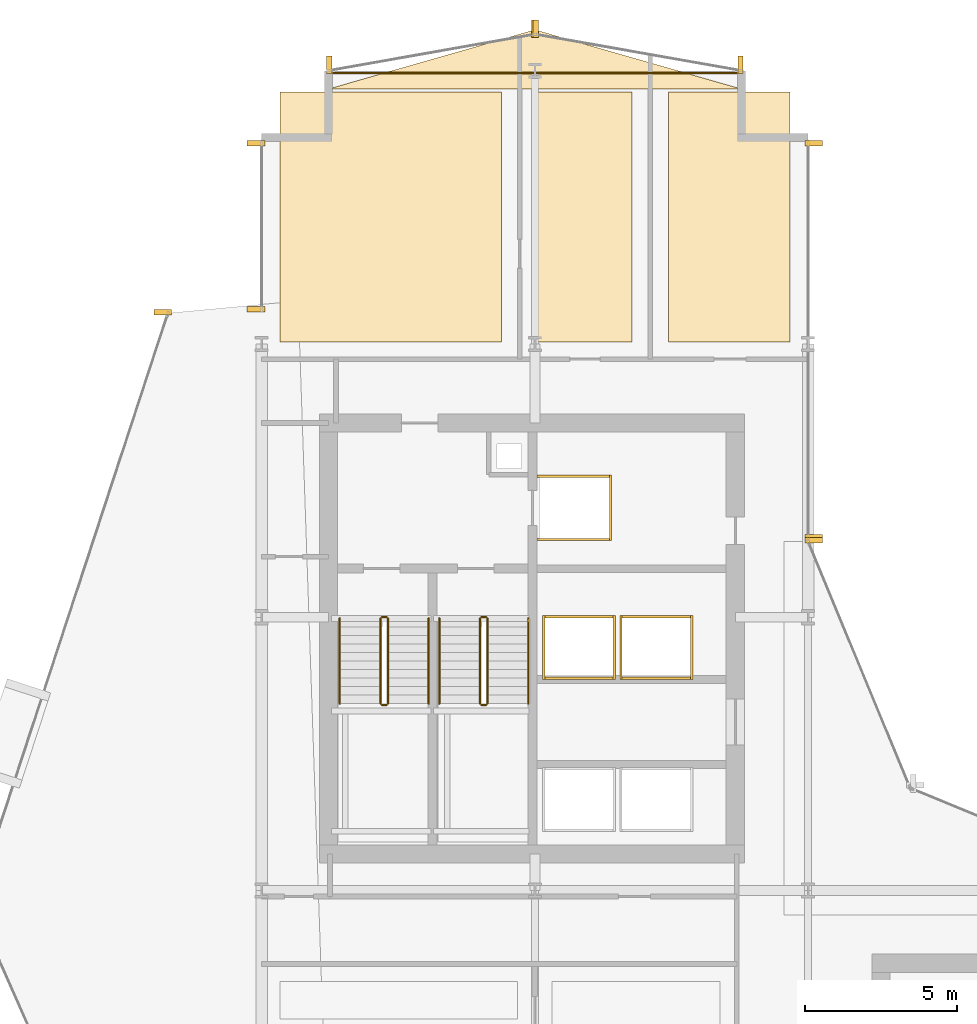
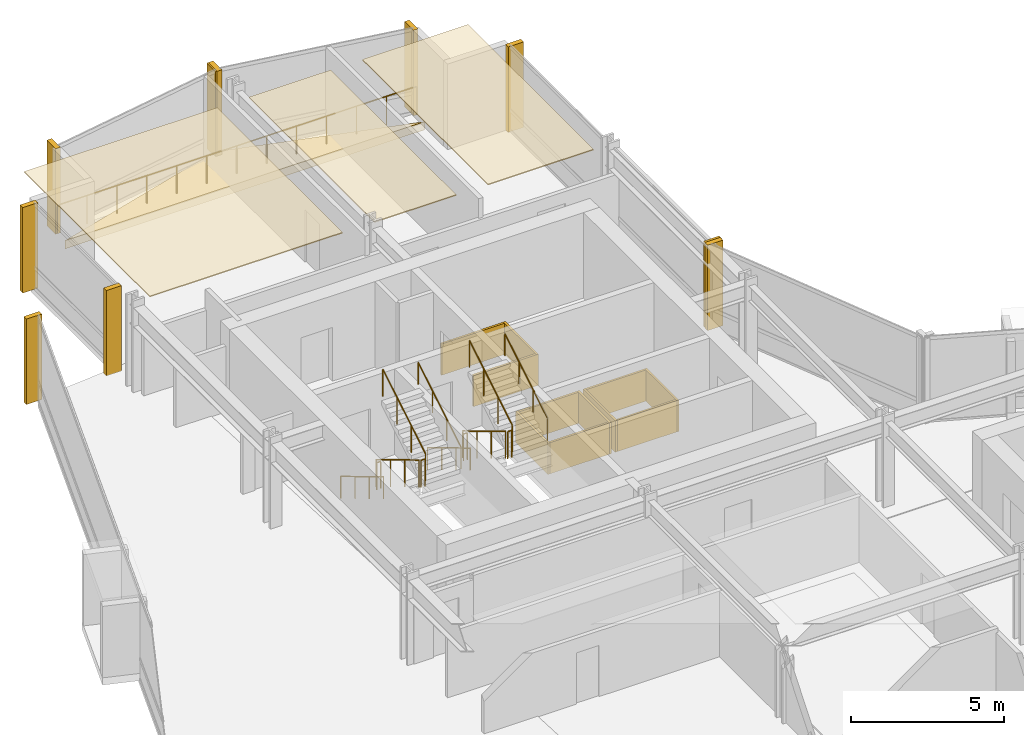
# One storey, part 33 of 34: 25 coverings, 13 railings.
"""IFC4 building model written with IfcOpenShell, lengths in metres."""

from ifc_helpers import new_model, si_unit, direction, frame, origin, origin_2d, place, context, subcontext, project, spatial, polyline, rectangle, circle, outline, extrude, material, layer, layer_set, type_object, element, save


model = new_model("IFC4")

# Units and contexts
model_context = context("Model", 3, precision=1e-05, world=origin(), true_north=direction((0.0, 1.0)))
body_context = subcontext(model_context, "Body", "Model", "MODEL_VIEW")
ifc_project = project(units=[si_unit("LENGTHUNIT", "METRE"), si_unit("AREAUNIT", "SQUARE_METRE"), si_unit("VOLUMEUNIT", "CUBIC_METRE"), si_unit("PLANEANGLEUNIT", "RADIAN"), si_unit("MASSUNIT", "GRAM", prefix="KILO")], contexts=[model_context])

# Site, building, storey
site_placement = place(None, origin())
site = spatial("IfcSite", under=ifc_project, at=site_placement, CompositionType="ELEMENT")
building_placement = place(site_placement, origin())
building = spatial("IfcBuilding", under=site, at=building_placement, Name="Solvaryn Broadcast Tower", CompositionType="ELEMENT")
storey_placement = place(building_placement, frame((0.0, 0.0, 58.199951171875)))
storey = spatial("IfcBuildingStorey", under=building, at=storey_placement, Name="L13", CompositionType="ELEMENT", Elevation=58.199951171875)

# Coverings
ifc_material_1 = material(Name="Micro-Perforated Acoustic Gypsum Ceiling", Category="concrete")
ifc_layer_1 = layer(ifc_material_1, 0.0400390625)
ifc_layer_set_1 = layer_set([ifc_layer_1], Name="CV-CEIL-ACOUSTIC")
covering_type_1 = type_object("IfcCoveringType", Name="CV-CEIL-ACOUSTIC", PredefinedType="CEILING", material=ifc_layer_set_1)
covering_1_placement = place(storey_placement, frame((0.0, 0.0, 3.380126953125)))
element("IfcCovering", 1, at=covering_1_placement, inside=storey, type_object=covering_type_1, Name="L13 Room Acoustic Ceiling 7", PredefinedType="CEILING", context=body_context, shape_type="SweptSolid", body=[
    extrude(outline(polyline([(9.60009765625, 45.070068359375), (16.89990234375, 45.070068359375), (16.89990234375, 53.300048828125), (9.60009765625, 53.300048828125), (9.60009765625, 45.070068359375)])), origin(), (0.0, 0.0, 1.0), 0.0400390625),
])
covering_2_placement = place(storey_placement, frame((0.0, 0.0, 3.380126953125)))
element("IfcCovering", 2, at=covering_2_placement, inside=storey, type_object=covering_type_1, Name="L13 Room Acoustic Ceiling 8", PredefinedType="CEILING", context=body_context, shape_type="SweptSolid", body=[
    extrude(outline(polyline([(18.10009765625, 45.070068359375), (21.199951171875, 45.070068359375), (21.199951171875, 53.300048828125), (18.10009765625, 53.300048828125), (18.10009765625, 45.070068359375)])), origin(), (0.0, 0.0, 1.0), 0.0400390625),
])
covering_3_placement = place(storey_placement, frame((0.0, 0.0, 3.380126953125)))
element("IfcCovering", 3, at=covering_3_placement, inside=storey, type_object=covering_type_1, Name="L13 Room Acoustic Ceiling 9", PredefinedType="CEILING", context=body_context, shape_type="SweptSolid", body=[
    extrude(outline(polyline([(22.39990234375, 45.070068359375), (26.39990234375, 45.070068359375), (26.39990234375, 53.300048828125), (22.39990234375, 53.300048828125), (22.39990234375, 45.070068359375)])), origin(), (0.0, 0.0, 1.0), 0.0400390625),
])
ifc_material_2 = material(Name="Fire-Rated Gypsum Shaftwall Liner", Category="concrete")
ifc_layer_2 = layer(ifc_material_2, 0.080078125)
ifc_layer_set_2 = layer_set([ifc_layer_2], Name="CV-SHAFT-LINER")
covering_type_2 = type_object("IfcCoveringType", Name="CV-SHAFT-LINER", PredefinedType="CLADDING", material=ifc_layer_set_2)
for number, where, z_axis, x_axis, name in (
    (4, (19.300048828125, 40.639892578125, 0.0), (0.0, 0.0, 1.0), (1.0, 0.0, 0.0), "L13 FL1 Hoistway Shaft Liner North"),
    (5, (19.300048828125, 38.56005859375, 0.0), (0.0, 0.0, 1.0), (1.0, 0.0, 0.0), "L13 FL1 Hoistway Shaft Liner South"),
):
    element("IfcCovering", number, at=place(storey_placement, frame(where, z_axis=z_axis, x_axis=x_axis)), inside=storey, type_object=covering_type_2, Name=name, PredefinedType="CLADDING", context=body_context, shape_type="SweptSolid", body=[
        extrude(rectangle(XDim=2.4599609375, YDim=0.080078125, at=origin_2d()), origin(), (0.0, 0.0, 1.0), 1.25),
    ])
covering_4_placement = place(storey_placement, frame((20.489990234375, 39.60009765625, 0.0), z_axis=(0.0, 0.0, 1.0), x_axis=(1.0, 0.0, 0.0)))
element("IfcCovering", 6, at=covering_4_placement, inside=storey, type_object=covering_type_2, Name="L13 FL1 Hoistway Shaft Liner East", PredefinedType="CLADDING", context=body_context, shape_type="SweptSolid", body=[
    extrude(rectangle(XDim=0.080078125, YDim=2.159912109375, at=origin_2d()), origin(), (0.0, 0.0, 1.0), 1.25),
])
for number, where, z_axis, x_axis, name in (
    (7, (19.449951171875, 36.014892578125, 0.0), (0.0, 0.0, 1.0), (1.0, 0.0, 0.0), "L13 PH3 Hoistway Shaft Liner North"),
    (8, (19.449951171875, 33.985107421875, 0.0), (0.0, 0.0, 1.0), (1.0, 0.0, 0.0), "L13 PH3 Hoistway Shaft Liner South"),
):
    element("IfcCovering", number, at=place(storey_placement, frame(where, z_axis=z_axis, x_axis=x_axis)), inside=storey, type_object=covering_type_2, Name=name, PredefinedType="CLADDING", context=body_context, shape_type="SweptSolid", body=[
        extrude(rectangle(XDim=2.409912109375, YDim=0.080078125, at=origin_2d()), origin(), (0.0, 0.0, 1.0), 1.25),
    ])
for number, where, z_axis, x_axis, name in (
    (9, (20.614990234375, 35.0, 0.0), (0.0, 0.0, 1.0), (1.0, 0.0, 0.0), "L13 PH3 Hoistway Shaft Liner East"),
    (10, (18.284912109375, 35.0, 0.0), (0.0, 0.0, 1.0), (1.0, 0.0, 0.0), "L13 PH3 Hoistway Shaft Liner West"),
):
    element("IfcCovering", number, at=place(storey_placement, frame(where, z_axis=z_axis, x_axis=x_axis)), inside=storey, type_object=covering_type_2, Name=name, PredefinedType="CLADDING", context=body_context, shape_type="SweptSolid", body=[
        extrude(rectangle(XDim=0.080078125, YDim=2.110107421875, at=origin_2d()), origin(), (0.0, 0.0, 1.0), 1.25),
    ])
for number, where, z_axis, x_axis, name in (
    (11, (22.0, 36.014892578125, 0.0), (0.0, 0.0, 1.0), (1.0, 0.0, 0.0), "L13 PH4 Hoistway Shaft Liner North"),
    (12, (22.0, 33.985107421875, 0.0), (0.0, 0.0, 1.0), (1.0, 0.0, 0.0), "L13 PH4 Hoistway Shaft Liner South"),
):
    element("IfcCovering", number, at=place(storey_placement, frame(where, z_axis=z_axis, x_axis=x_axis)), inside=storey, type_object=covering_type_2, Name=name, PredefinedType="CLADDING", context=body_context, shape_type="SweptSolid", body=[
        extrude(rectangle(XDim=2.409912109375, YDim=0.080078125, at=origin_2d()), origin(), (0.0, 0.0, 1.0), 1.25),
    ])
for number, where, z_axis, x_axis, name in (
    (13, (23.1650390625, 35.0, 0.0), (0.0, 0.0, 1.0), (1.0, 0.0, 0.0), "L13 PH4 Hoistway Shaft Liner East"),
    (14, (20.8349609375, 35.0, 0.0), (0.0, 0.0, 1.0), (1.0, 0.0, 0.0), "L13 PH4 Hoistway Shaft Liner West"),
):
    element("IfcCovering", number, at=place(storey_placement, frame(where, z_axis=z_axis, x_axis=x_axis)), inside=storey, type_object=covering_type_2, Name=name, PredefinedType="CLADDING", context=body_context, shape_type="SweptSolid", body=[
        extrude(rectangle(XDim=0.080078125, YDim=2.110107421875, at=origin_2d()), origin(), (0.0, 0.0, 1.0), 1.25),
    ])
ifc_material_3 = material(Name="Extruded Architectural Terracotta Fin", Category="masonry")
ifc_layer_3 = layer(ifc_material_3, 0.179931640625)
ifc_layer_set_3 = layer_set([ifc_layer_3], Name="CV-TC-FIN")
covering_type_3 = type_object("IfcCoveringType", Name="CV-TC-FIN", PredefinedType="USERDEFINED", material=ifc_layer_set_3)
for number, where, z_axis, x_axis, name in (
    (15, (5.735595703125, 46.043701171875, 0.0), (0.0, 0.0, 1.0), (1.0, 0.0, 0.0), "L13 Terracotta Vertical Fin FIN-L13-DR1-M00"),
    (16, (8.8125, 46.14599609375, 0.0), (0.0, 0.0, 1.0), (1.0, 0.0, 0.0), "L13 Terracotta Vertical Fin FIN-L13-W2-M00"),
    (17, (8.8125, 51.6201171875, 0.0), (0.0, 0.0, 1.0), (1.0, 0.0, 0.0), "L13 Terracotta Vertical Fin FIN-L13-W2-M01"),
    (18, (27.1875, 51.6201171875, 0.0), (0.0, 0.0, 1.0), (1.0, 0.0, 0.0), "L13 Terracotta Vertical Fin FIN-L13-IV-M00"),
    (19, (27.1875, 38.6298828125, 0.0), (0.0, 0.0, 1.0), (1.0, 0.0, 0.0), "L13 Terracotta Vertical Fin FIN-L13-IV-M01"),
    (20, (27.177978515625, 38.541259765625, 0.0), (0.0, 0.0, 1.0), (1.0, 0.0, 0.0), "L13 Terracotta Vertical Fin FIN-L13-CN2-M01"),
):
    element("IfcCovering", number, at=place(storey_placement, frame(where, z_axis=z_axis, x_axis=x_axis)), inside=storey, type_object=covering_type_3, Name=name, ObjectType="FIN", PredefinedType="USERDEFINED", context=body_context, shape_type="SweptSolid", body=[
        extrude(rectangle(XDim=0.580078125, YDim=0.179931640625, at=origin_2d()), origin(), (0.0, 0.0, 1.0), 3.419921875),
    ])
for number, where, z_axis, x_axis, name in (
    (21, (24.7705078125, 54.192626953125, 0.0), (0.0, 0.0, 1.0), (1.0, 0.0, 0.0), "L13 Terracotta Vertical Fin FIN-L13-NT1-M00"),
    (22, (18.029541015625, 55.38232421875, 0.0), (0.0, 0.0, 1.0), (1.0, 0.0, 0.0), "L13 Terracotta Vertical Fin FIN-L13-NT1-M01"),
    (23, (17.970458984375, 55.38232421875, 0.0), (0.0, 0.0, 1.0), (1.0, 0.0, 0.0), "L13 Terracotta Vertical Fin FIN-L13-NT2-M00"),
    (24, (11.2294921875, 54.192626953125, 0.0), (0.0, 0.0, 1.0), (1.0, 0.0, 0.0), "L13 Terracotta Vertical Fin FIN-L13-NT2-M01"),
):
    element("IfcCovering", number, at=place(storey_placement, frame(where, z_axis=z_axis, x_axis=x_axis)), inside=storey, type_object=covering_type_3, Name=name, ObjectType="FIN", PredefinedType="USERDEFINED", context=body_context, shape_type="SweptSolid", body=[
        extrude(rectangle(XDim=0.179931640625, YDim=0.580078125, at=origin_2d()), origin(), (0.0, 0.0, 1.0), 3.419921875),
    ])
ifc_material_4 = material(Name="Sculpted Architectural Terracotta Wave Fascia", Category="masonry")
ifc_layer_4 = layer(ifc_material_4, 0.340087890625)
ifc_layer_set_4 = layer_set([ifc_layer_4], Name="CV-WAVE-TRAY")
covering_type_4 = type_object("IfcCoveringType", Name="CV-WAVE-TRAY", PredefinedType="CLADDING", material=ifc_layer_set_4)
covering_5_placement = place(storey_placement, frame((0.0, 0.0, -0.300048828125)))
element("IfcCovering", 25, at=covering_5_placement, inside=storey, type_object=covering_type_4, Name="L13 North Curved Wing Deck", PredefinedType="CLADDING", context=body_context, shape_type="SweptSolid", body=[
    extrude(outline(polyline([(11.199951171875, 53.39990234375), (24.800048828125, 53.39990234375), (18.0, 55.35009765625), (11.199951171875, 53.39990234375)])), origin(), (0.0, 0.0, 1.0), 0.330078125),
])

# Railings
ifc_material_5 = material(Name="Painted Steel Stair Well Guard", Category="steel")
railing_type_1 = type_object("IfcRailingType", Name="RL-STAIR-GUARD", PredefinedType="BALUSTRADE", material=ifc_material_5)
railing_1_placement = place(storey_placement, frame((12.909912109375, 35.9599609375, 0.168212890625)))
element("IfcRailing", 26, at=railing_1_placement, inside=storey, type_object=railing_type_1, Name="L13 ST1 stair guard 1", PredefinedType="BALUSTRADE", context=body_context, shape_type="SweptSolid", body=[
    extrude(circle(Radius=0.02392578125, at=origin_2d()), frame((0.0, 0.0, 1.076171875), z_axis=(0.0, -0.857242210791, 0.514913383045), x_axis=(1.0, 0.0, 0.0)), (0.0, 0.0, 1.0), 3.266357421875),
    extrude(circle(Radius=0.02099609375, at=origin_2d()), origin(), (0.0, 0.0, 1.0), 1.052001953125),
    extrude(circle(Radius=0.02099609375, at=origin_2d()), frame((0.0, -0.933349609375, 0.560546875)), (0.0, 0.0, 1.0), 1.052001953125),
    extrude(circle(Radius=0.02099609375, at=origin_2d()), frame((0.0, -1.86669921875, 1.121337890625)), (0.0, 0.0, 1.0), 1.052001953125),
    extrude(circle(Radius=0.02099609375, at=origin_2d()), frame((0.0, -2.800048828125, 1.681884765625)), (0.0, 0.0, 1.0), 1.052001953125),
])
railing_2_placement = place(storey_placement, frame((12.9599609375, 33.110107421875, 1.85009765625)))
element("IfcRailing", 27, at=railing_2_placement, inside=storey, type_object=railing_type_1, Name="L13 ST1 stair guard 2", PredefinedType="BALUSTRADE", context=body_context, shape_type="SweptSolid", body=[
    extrude(circle(Radius=0.02392578125, at=origin_2d()), frame((0.0, 0.0, 1.076171875), z_axis=(1.0, 0.0, 0.0), x_axis=(0.0, 1.0, 0.0)), (0.0, 0.0, 1.0), 0.150146484375),
    extrude(circle(Radius=0.02099609375, at=origin_2d()), origin(), (0.0, 0.0, 1.0), 1.052001953125),
    extrude(circle(Radius=0.02099609375, at=origin_2d()), frame((0.150146484375, 0.0, 0.0)), (0.0, 0.0, 1.0), 1.052001953125),
])
railing_3_placement = place(storey_placement, frame((13.159912109375, 33.159912109375, 2.018310546875)))
element("IfcRailing", 28, at=railing_3_placement, inside=storey, type_object=railing_type_1, Name="L13 ST1 stair guard 3", PredefinedType="BALUSTRADE", context=body_context, shape_type="SweptSolid", body=[
    extrude(circle(Radius=0.02392578125, at=origin_2d()), frame((0.0, 0.0, 1.076171875), z_axis=(0.0, 0.857275202839, 0.514858452973), x_axis=(-1.0, 0.0, 0.0)), (0.0, 0.0, 1.0), 3.26611328125),
    extrude(circle(Radius=0.02099609375, at=origin_2d()), origin(), (0.0, 0.0, 1.0), 1.052001953125),
    extrude(circle(Radius=0.02099609375, at=origin_2d()), frame((0.0, 0.933349609375, 0.560546875)), (0.0, 0.0, 1.0), 1.052001953125),
    extrude(circle(Radius=0.02099609375, at=origin_2d()), frame((0.0, 1.86669921875, 1.12109375)), (0.0, 0.0, 1.0), 1.052001953125),
    extrude(circle(Radius=0.02099609375, at=origin_2d()), frame((0.0, 2.800048828125, 1.681640625)), (0.0, 0.0, 1.0), 1.052001953125),
])
railing_4_placement = place(storey_placement, frame((12.9599609375, 36.010009765625, 0.0)))
element("IfcRailing", 29, at=railing_4_placement, inside=storey, type_object=railing_type_1, Name="L13 ST1 stair guard 4", PredefinedType="BALUSTRADE", context=body_context, shape_type="SweptSolid", body=[
    extrude(circle(Radius=0.02392578125, at=origin_2d()), frame((0.0, 0.0, 1.076171875), z_axis=(1.0, 0.0, 0.0), x_axis=(0.0, 1.0, 0.0)), (0.0, 0.0, 1.0), 0.150146484375),
    extrude(circle(Radius=0.02099609375, at=origin_2d()), origin(), (0.0, 0.0, 1.0), 1.052001953125),
    extrude(circle(Radius=0.02099609375, at=origin_2d()), frame((0.150146484375, 0.0, 0.0)), (0.0, 0.0, 1.0), 1.052001953125),
])
railing_5_placement = place(storey_placement, frame((16.18994140625, 35.9599609375, 0.168212890625)))
element("IfcRailing", 30, at=railing_5_placement, inside=storey, type_object=railing_type_1, Name="L13 ST2 stair guard 1", PredefinedType="BALUSTRADE", context=body_context, shape_type="SweptSolid", body=[
    extrude(circle(Radius=0.02392578125, at=origin_2d()), frame((0.0, 0.0, 1.076171875), z_axis=(0.0, -0.857242210791, 0.514913383045), x_axis=(1.0, 0.0, 0.0)), (0.0, 0.0, 1.0), 3.266357421875),
    extrude(circle(Radius=0.02099609375, at=origin_2d()), origin(), (0.0, 0.0, 1.0), 1.052001953125),
    extrude(circle(Radius=0.02099609375, at=origin_2d()), frame((0.0, -0.933349609375, 0.560546875)), (0.0, 0.0, 1.0), 1.052001953125),
    extrude(circle(Radius=0.02099609375, at=origin_2d()), frame((0.0, -1.86669921875, 1.121337890625)), (0.0, 0.0, 1.0), 1.052001953125),
    extrude(circle(Radius=0.02099609375, at=origin_2d()), frame((0.0, -2.800048828125, 1.681884765625)), (0.0, 0.0, 1.0), 1.052001953125),
])
railing_6_placement = place(storey_placement, frame((16.239990234375, 33.110107421875, 1.85009765625)))
element("IfcRailing", 31, at=railing_6_placement, inside=storey, type_object=railing_type_1, Name="L13 ST2 stair guard 2", PredefinedType="BALUSTRADE", context=body_context, shape_type="SweptSolid", body=[
    extrude(circle(Radius=0.02392578125, at=origin_2d()), frame((0.0, 0.0, 1.076171875), z_axis=(1.0, 0.0, 0.0), x_axis=(0.0, 1.0, 0.0)), (0.0, 0.0, 1.0), 0.14990234375),
    extrude(circle(Radius=0.02099609375, at=origin_2d()), origin(), (0.0, 0.0, 1.0), 1.052001953125),
    extrude(circle(Radius=0.02099609375, at=origin_2d()), frame((0.14990234375, 0.0, 0.0)), (0.0, 0.0, 1.0), 1.052001953125),
])
railing_7_placement = place(storey_placement, frame((16.43994140625, 33.159912109375, 2.018310546875)))
element("IfcRailing", 32, at=railing_7_placement, inside=storey, type_object=railing_type_1, Name="L13 ST2 stair guard 3", PredefinedType="BALUSTRADE", context=body_context, shape_type="SweptSolid", body=[
    extrude(circle(Radius=0.02392578125, at=origin_2d()), frame((0.0, 0.0, 1.076171875), z_axis=(0.0, 0.857275202839, 0.514858452973), x_axis=(-1.0, 0.0, 0.0)), (0.0, 0.0, 1.0), 3.26611328125),
    extrude(circle(Radius=0.02099609375, at=origin_2d()), origin(), (0.0, 0.0, 1.0), 1.052001953125),
    extrude(circle(Radius=0.02099609375, at=origin_2d()), frame((0.0, 0.933349609375, 0.560546875)), (0.0, 0.0, 1.0), 1.052001953125),
    extrude(circle(Radius=0.02099609375, at=origin_2d()), frame((0.0, 1.86669921875, 1.12109375)), (0.0, 0.0, 1.0), 1.052001953125),
    extrude(circle(Radius=0.02099609375, at=origin_2d()), frame((0.0, 2.800048828125, 1.681640625)), (0.0, 0.0, 1.0), 1.052001953125),
])
railing_8_placement = place(storey_placement, frame((16.239990234375, 36.010009765625, 0.0)))
element("IfcRailing", 33, at=railing_8_placement, inside=storey, type_object=railing_type_1, Name="L13 ST2 stair guard 4", PredefinedType="BALUSTRADE", context=body_context, shape_type="SweptSolid", body=[
    extrude(circle(Radius=0.02392578125, at=origin_2d()), frame((0.0, 0.0, 1.076171875), z_axis=(1.0, 0.0, 0.0), x_axis=(0.0, 1.0, 0.0)), (0.0, 0.0, 1.0), 0.14990234375),
    extrude(circle(Radius=0.02099609375, at=origin_2d()), origin(), (0.0, 0.0, 1.0), 1.052001953125),
    extrude(circle(Radius=0.02099609375, at=origin_2d()), frame((0.14990234375, 0.0, 0.0)), (0.0, 0.0, 1.0), 1.052001953125),
])
ifc_material_6 = material(Name="Brushed Stainless Steel Tubular Handrail", Category="steel")
railing_type_2 = type_object("IfcRailingType", Name="RL-STAIR-HANDRAIL", PredefinedType="HANDRAIL", material=ifc_material_6)
railing_9_placement = place(storey_placement, frame((11.570068359375, 35.9599609375, 0.168212890625)))
element("IfcRailing", 34, at=railing_9_placement, inside=storey, type_object=railing_type_2, Name="L13 ST1 stair handrail 1", PredefinedType="HANDRAIL", context=body_context, shape_type="SweptSolid", body=[
    extrude(circle(Radius=0.02392578125, at=origin_2d()), frame((0.0, 0.0, 0.8759765625), z_axis=(0.0, -0.857242210791, 0.514913383045), x_axis=(1.0, 0.0, 0.0)), (0.0, 0.0, 1.0), 3.266357421875),
    extrude(circle(Radius=0.02099609375, at=origin_2d()), origin(), (0.0, 0.0, 1.0), 0.851806640625),
    extrude(circle(Radius=0.02099609375, at=origin_2d()), frame((0.0, -0.933349609375, 0.560546875)), (0.0, 0.0, 1.0), 0.851806640625),
    extrude(circle(Radius=0.02099609375, at=origin_2d()), frame((0.0, -1.86669921875, 1.121337890625)), (0.0, 0.0, 1.0), 0.851806640625),
    extrude(circle(Radius=0.02099609375, at=origin_2d()), frame((0.0, -2.800048828125, 1.681884765625)), (0.0, 0.0, 1.0), 0.851806640625),
])
railing_10_placement = place(storey_placement, frame((14.5, 33.159912109375, 2.018310546875)))
element("IfcRailing", 35, at=railing_10_placement, inside=storey, type_object=railing_type_2, Name="L13 ST1 stair handrail 2", PredefinedType="HANDRAIL", context=body_context, shape_type="SweptSolid", body=[
    extrude(circle(Radius=0.02392578125, at=origin_2d()), frame((0.0, 0.0, 0.8759765625), z_axis=(0.0, 0.857275202839, 0.514858452973), x_axis=(-1.0, 0.0, 0.0)), (0.0, 0.0, 1.0), 3.26611328125),
    extrude(circle(Radius=0.02099609375, at=origin_2d()), origin(), (0.0, 0.0, 1.0), 0.851806640625),
    extrude(circle(Radius=0.02099609375, at=origin_2d()), frame((0.0, 0.933349609375, 0.560546875)), (0.0, 0.0, 1.0), 0.851806640625),
    extrude(circle(Radius=0.02099609375, at=origin_2d()), frame((0.0, 1.86669921875, 1.12109375)), (0.0, 0.0, 1.0), 0.851806640625),
    extrude(circle(Radius=0.02099609375, at=origin_2d()), frame((0.0, 2.800048828125, 1.681640625)), (0.0, 0.0, 1.0), 0.851806640625),
])
railing_11_placement = place(storey_placement, frame((14.85009765625, 35.9599609375, 0.168212890625)))
element("IfcRailing", 36, at=railing_11_placement, inside=storey, type_object=railing_type_2, Name="L13 ST2 stair handrail 1", PredefinedType="HANDRAIL", context=body_context, shape_type="SweptSolid", body=[
    extrude(circle(Radius=0.02392578125, at=origin_2d()), frame((0.0, 0.0, 0.8759765625), z_axis=(0.0, -0.857242210791, 0.514913383045), x_axis=(1.0, 0.0, 0.0)), (0.0, 0.0, 1.0), 3.266357421875),
    extrude(circle(Radius=0.02099609375, at=origin_2d()), origin(), (0.0, 0.0, 1.0), 0.851806640625),
    extrude(circle(Radius=0.02099609375, at=origin_2d()), frame((0.0, -0.933349609375, 0.560546875)), (0.0, 0.0, 1.0), 0.851806640625),
    extrude(circle(Radius=0.02099609375, at=origin_2d()), frame((0.0, -1.86669921875, 1.121337890625)), (0.0, 0.0, 1.0), 0.851806640625),
    extrude(circle(Radius=0.02099609375, at=origin_2d()), frame((0.0, -2.800048828125, 1.681884765625)), (0.0, 0.0, 1.0), 0.851806640625),
])
railing_12_placement = place(storey_placement, frame((17.780029296875, 33.159912109375, 2.018310546875)))
element("IfcRailing", 37, at=railing_12_placement, inside=storey, type_object=railing_type_2, Name="L13 ST2 stair handrail 2", PredefinedType="HANDRAIL", context=body_context, shape_type="SweptSolid", body=[
    extrude(circle(Radius=0.02392578125, at=origin_2d()), frame((0.0, 0.0, 0.8759765625), z_axis=(0.0, 0.857275202839, 0.514858452973), x_axis=(-1.0, 0.0, 0.0)), (0.0, 0.0, 1.0), 3.26611328125),
    extrude(circle(Radius=0.02099609375, at=origin_2d()), origin(), (0.0, 0.0, 1.0), 0.851806640625),
    extrude(circle(Radius=0.02099609375, at=origin_2d()), frame((0.0, 0.933349609375, 0.560546875)), (0.0, 0.0, 1.0), 0.851806640625),
    extrude(circle(Radius=0.02099609375, at=origin_2d()), frame((0.0, 1.86669921875, 1.12109375)), (0.0, 0.0, 1.0), 0.851806640625),
    extrude(circle(Radius=0.02099609375, at=origin_2d()), frame((0.0, 2.800048828125, 1.681640625)), (0.0, 0.0, 1.0), 0.851806640625),
])
ifc_material_7 = material(Name="Stainless Steel and Laminated Glass Guard", Category="steel")
railing_type_3 = type_object("IfcRailingType", Name="RL-TER-1150", PredefinedType="BALUSTRADE", material=ifc_material_7)
railing_13_placement = place(storey_placement, frame((11.199951171875, 53.919921875, 0.0)))
element("IfcRailing", 38, at=railing_13_placement, inside=storey, type_object=railing_type_3, Name="L13 North Wing Spandrel Edge Guard", PredefinedType="BALUSTRADE", context=body_context, shape_type="SweptSolid", body=[
    extrude(circle(Radius=0.02392578125, at=origin_2d()), frame((0.0, 0.0, 1.1259765625), z_axis=(1.0, 0.0, 0.0), x_axis=(0.0, 1.0, 0.0)), (0.0, 0.0, 1.0), 13.60009765625),
    extrude(circle(Radius=0.02099609375, at=origin_2d()), origin(), (0.0, 0.0, 1.0), 1.101806640625),
    extrude(circle(Radius=0.02099609375, at=origin_2d()), frame((1.13330078125, 0.0, 0.0)), (0.0, 0.0, 1.0), 1.101806640625),
    extrude(circle(Radius=0.02099609375, at=origin_2d()), frame((2.2666015625, 0.0, 0.0)), (0.0, 0.0, 1.0), 1.101806640625),
    extrude(circle(Radius=0.02099609375, at=origin_2d()), frame((3.39990234375, 0.0, 0.0)), (0.0, 0.0, 1.0), 1.101806640625),
    extrude(circle(Radius=0.02099609375, at=origin_2d()), frame((4.533447265625, 0.0, 0.0)), (0.0, 0.0, 1.0), 1.101806640625),
    extrude(circle(Radius=0.02099609375, at=origin_2d()), frame((5.666748046875, 0.0, 0.0)), (0.0, 0.0, 1.0), 1.101806640625),
    extrude(circle(Radius=0.02099609375, at=origin_2d()), frame((6.800048828125, 0.0, 0.0)), (0.0, 0.0, 1.0), 1.101806640625),
    extrude(circle(Radius=0.02099609375, at=origin_2d()), frame((7.933349609375, 0.0, 0.0)), (0.0, 0.0, 1.0), 1.101806640625),
    extrude(circle(Radius=0.02099609375, at=origin_2d()), frame((9.066650390625, 0.0, 0.0)), (0.0, 0.0, 1.0), 1.101806640625),
    extrude(circle(Radius=0.02099609375, at=origin_2d()), frame((10.2001953125, 0.0, 0.0)), (0.0, 0.0, 1.0), 1.101806640625),
    extrude(circle(Radius=0.02099609375, at=origin_2d()), frame((11.33349609375, 0.0, 0.0)), (0.0, 0.0, 1.0), 1.101806640625),
    extrude(circle(Radius=0.02099609375, at=origin_2d()), frame((12.466796875, 0.0, 0.0)), (0.0, 0.0, 1.0), 1.101806640625),
    extrude(circle(Radius=0.02099609375, at=origin_2d()), frame((13.60009765625, 0.0, 0.0)), (0.0, 0.0, 1.0), 1.101806640625),
])

save(model, "model.ifc")
